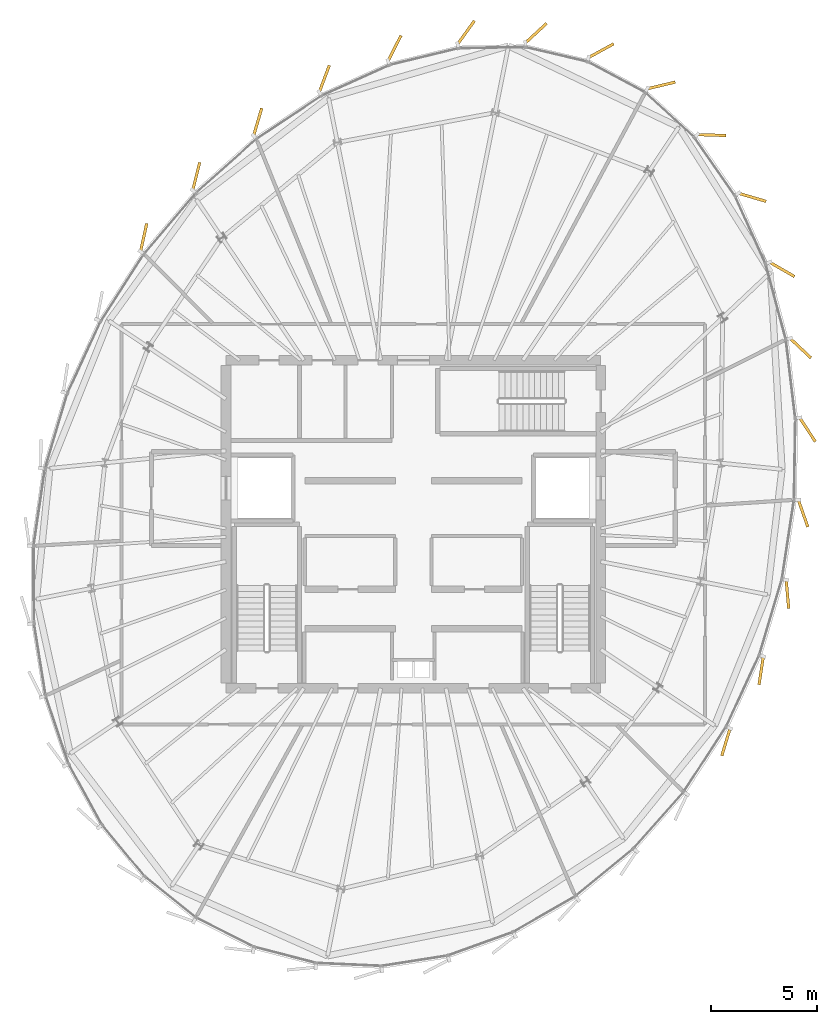
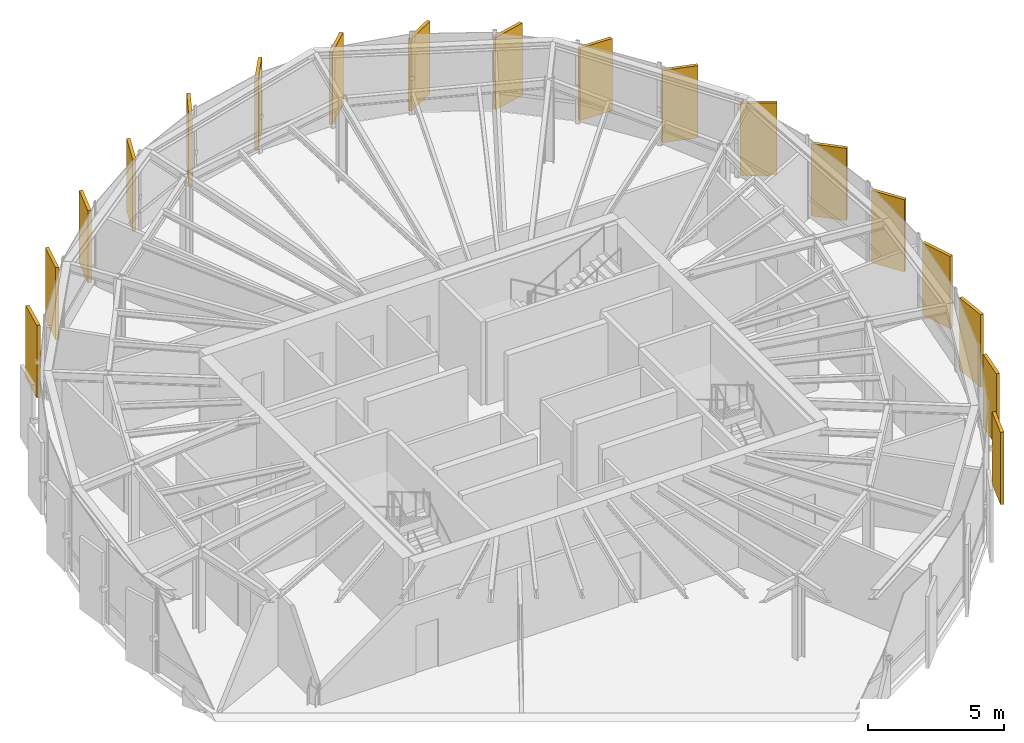
# One storey, part 27 of 27: 18 coverings.
"""IFC4 building model written with IfcOpenShell, lengths in metres."""

from ifc_helpers import new_model, si_unit, direction, frame, origin, origin_2d, place, context, subcontext, project, spatial, rectangle, extrude, source, transform, mapped, material, layer, layer_set, type_object, element, save


model = new_model("IFC4")

# Units and contexts
model_context = context("Model", 3, precision=1e-05, world=origin(), true_north=direction((0.0, 1.0)))
body_context = subcontext(model_context, "Body", "Model", "MODEL_VIEW")
ifc_project = project(units=[si_unit("LENGTHUNIT", "METRE"), si_unit("AREAUNIT", "SQUARE_METRE"), si_unit("VOLUMEUNIT", "CUBIC_METRE"), si_unit("PLANEANGLEUNIT", "RADIAN"), si_unit("MASSUNIT", "GRAM", prefix="KILO"), si_unit("THERMODYNAMICTEMPERATUREUNIT", "KELVIN")], contexts=[model_context])

# Site, building, storey
site_placement = place(None, origin())
site = spatial("IfcSite", under=ifc_project, at=site_placement, CompositionType="ELEMENT")
building_placement = place(site_placement, origin())
building = spatial("IfcBuilding", under=site, at=building_placement, Name="Kethvar Cultural Tower", CompositionType="ELEMENT")
storey_placement = place(building_placement, frame((0.0, 0.0, 312.300048828125)))
storey = spatial("IfcBuildingStorey", under=building, at=storey_placement, Name="L83", CompositionType="ELEMENT", Elevation=312.300048828125)

# Coverings
ifc_material = material(Name="Extruded Architectural Terracotta", Category="masonry")
ifc_layer = layer(ifc_material, 0.135009765625, Name="Extruded Architectural Terracotta", Category="masonry")
ifc_layer_set = layer_set([ifc_layer], Name="Extruded Architectural Terracotta (135 mm)")
covering_type = type_object("IfcCoveringType", Name="Terracotta Facade Fin FIN-03", PredefinedType="CLADDING", material=ifc_layer_set)
shared_shape = source(origin(), body_context, "Body", "SweptSolid", [
    extrude(rectangle(XDim=1.35009765625, YDim=0.135009765625, at=origin_2d()), origin(), (0.0, 0.0, 1.0), 3.25),
])
for number, where, z_axis, x_axis, name in (
    (1, (55.61669921875, 50.039306640625, 0.02001953125), (0.0, 0.0, 1.0), (0.876726755708, 0.480988768919, 0.0), "L83 Vertical Terracotta Fin 1.1"),
    (2, (52.560302734375, 50.864501953125, 0.02001953125), (0.0, 0.0, 1.0), (0.735032945147, 0.678031392746, 0.0), "L83 Vertical Terracotta Fin 1.2"),
    (3, (49.271728515625, 50.893798828125, 0.02001953125), (0.0, 0.0, 1.0), (0.584674524674, 0.811267958321, 0.0), "L83 Vertical Terracotta Fin 1.3"),
    (4, (45.9169921875, 50.15380859375, 0.02001953125), (0.0, 0.0, 1.0), (0.453057191132, 0.891481453292, 0.0), "L83 Vertical Terracotta Fin 1.4"),
    (5, (42.61767578125, 48.72021484375, 0.02001953125), (0.0, 0.0, 1.0), (0.352495055446, 0.935813675838, 0.0), "L83 Vertical Terracotta Fin 1.5"),
    (6, (39.4873046875, 46.689697265625, 0.02001953125), (0.0, 0.0, 1.0), (0.283513268955, 0.958968313515, 0.0), "L83 Vertical Terracotta Fin 1.6"),
    (7, (36.602783203125, 44.136962890625, 0.02001953125), (0.0, 0.0, 1.0), (0.242260577957, 0.970211220492, 0.0), "L83 Vertical Terracotta Fin 2.1"),
    (8, (34.132568359375, 41.2646484375, 0.02001953125), (0.0, 0.0, 1.0), (0.215246682117, 0.976559709305, 0.0), "L83 Vertical Terracotta Fin 2.2"),
    (9, (61.47900390625, 17.56689453125, 0.02001953125), (0.0, 0.0, 1.0), (-0.289031796944, -0.957319497532, 0.0), "L83 Vertical Terracotta Fin 5.3"),
    (10, (63.135009765625, 20.927978515625, 0.02001953125), (0.0, 0.0, 1.0), (-0.150053034553, -0.988677948991, 0.0), "L83 Vertical Terracotta Fin 5.4"),
    (11, (64.367431640625, 24.5166015625, 0.02001953125), (0.0, 0.0, 1.0), (0.08750347498, -0.996164214307, 0.0), "L83 Vertical Terracotta Fin 5.5"),
    (12, (65.103759765625, 28.30615234375, 0.02001953125), (0.0, 0.0, 1.0), (0.331008520407, -0.943627765286, 0.0), "L83 Vertical Terracotta Fin 5.6"),
    (13, (65.308837890625, 32.242919921875, 0.02001953125), (0.0, 0.0, 1.0), (0.550043539327, -0.835135979853, 0.0), "L83 Vertical Terracotta Fin 6.1"),
    (14, (64.982666015625, 36.0703125, 0.02001953125), (0.0, 0.0, 1.0), (0.72884914031, -0.684674324529, 0.0), "L83 Vertical Terracotta Fin 6.2"),
    (15, (64.11328125, 39.770263671875, 0.02001953125), (0.0, 0.0, 1.0), (0.866374258561, -0.499395278414, 0.0), "L83 Vertical Terracotta Fin 6.3"),
    (16, (62.717041015625, 43.1533203125, 0.02001953125), (0.0, 0.0, 1.0), (0.959559998631, -0.281504190071, 0.0), "L83 Vertical Terracotta Fin 6.4"),
    (17, (60.81494140625, 46.07666015625, 0.02001953125), (0.0, 0.0, 1.0), (0.99945598739, -0.032980740915, 0.0), "L83 Vertical Terracotta Fin 6.5"),
    (18, (58.441650390625, 48.407470703125, 0.02001953125), (0.0, 0.0, 1.0), (0.97265440195, 0.232257215962, 0.0), "L83 Vertical Terracotta Fin 6.6"),
):
    element("IfcCovering", number, at=place(storey_placement, frame(where, z_axis=z_axis, x_axis=x_axis)), inside=storey, type_object=covering_type, Name=name, PredefinedType="CLADDING", context=body_context, shape_type="MappedRepresentation", body=[
        mapped(shared_shape, transform((0.0, 0.0, 0.0), scale=1.0)),
    ])

save(model, "model.ifc")
